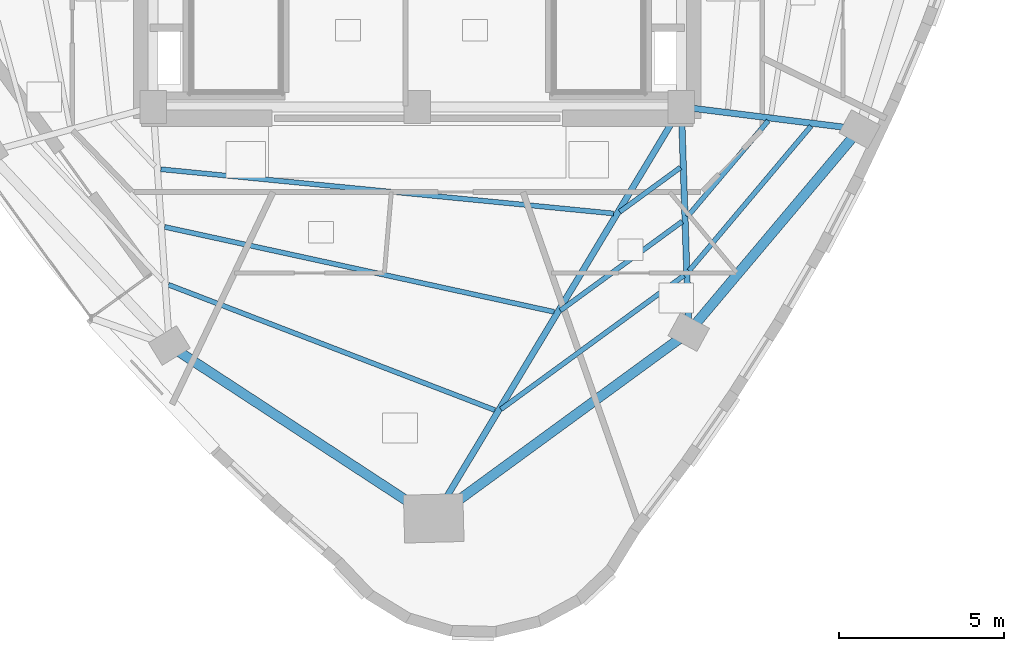
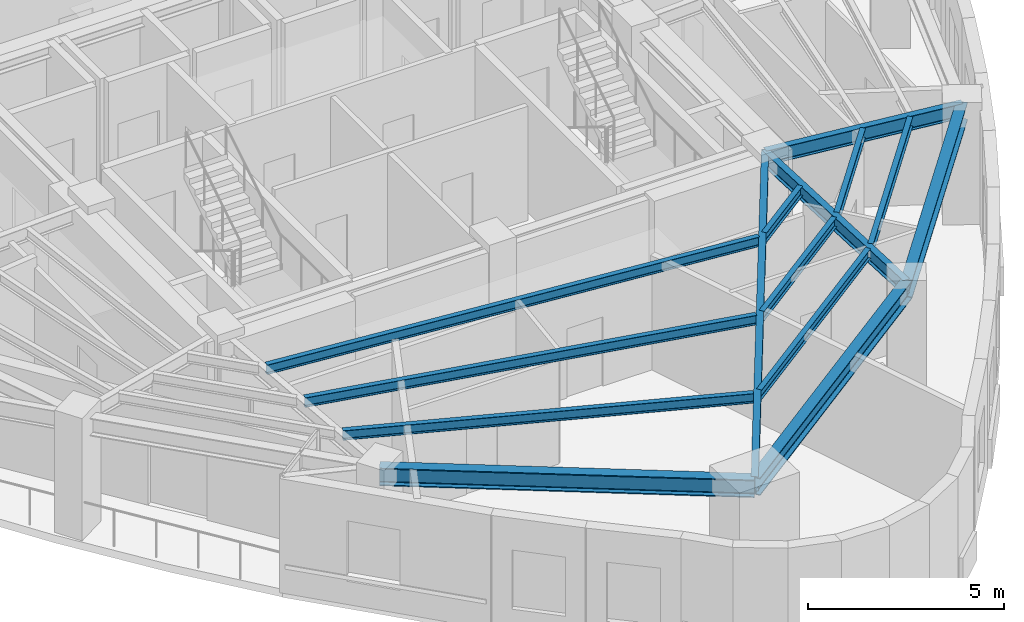
# One storey, part 3 of 12: 14 beams.
"""IFC4 building model written with IfcOpenShell, lengths in metres."""

import ifcopenshell
import ifcopenshell.guid

model = None  # the IFC model being written
_history = None  # IfcOwnerHistory: only IFC2X3 demands one
_inside = {}  # id of a spatial element -> (the spatial element, [elements in it])
_under = {}  # id of a project, library or spatial element -> (it, [spatial elements below it])
_declared = {}  # id of a project -> (the project, [libraries it declares])
_typed = {}  # id of a type object -> (the type object, [elements of that type])
_made_of = {}  # id of a material, layer set ... -> (it, [elements and type objects made of it])


def new_model(schema):
    """Start an empty IFC model of exactly this schema.

    Asked for "IFC4X3", IfcOpenShell would pick the latest addendum, in which some entities
    have other attributes; the version numbers below select the first issue.
    IFC2X3 requires an IfcOwnerHistory on every rooted entity: one is made here for all.
    """
    global model, _history
    if schema == "IFC4X3":
        model = ifcopenshell.file(schema_version=(4, 3, 0, 0))
    else:
        model = ifcopenshell.file(schema=schema)
    _inside.clear()
    _under.clear()
    _declared.clear()
    _typed.clear()
    _made_of.clear()
    _history = None
    if model.schema == "IFC2X3":
        org = make("IfcOrganization", Name="unknown")
        user = make(
            "IfcPersonAndOrganization",
            ThePerson=make("IfcPerson", FamilyName="unknown"),
            TheOrganization=org,
        )
        app = make(
            "IfcApplication",
            ApplicationDeveloper=org,
            Version="unknown",
            ApplicationFullName="unknown",
            ApplicationIdentifier="unknown",
        )
        _history = make(
            "IfcOwnerHistory",
            OwningUser=user,
            OwningApplication=app,
            ChangeAction="ADDED",
            CreationDate=0,
        )
    return model


def make(cls, **values):
    """One entity of the class cls with the attributes given. An attribute that is None is left unset."""
    return model.create_entity(
        cls, **{name: value for name, value in values.items() if value is not None}
    )


def rooted(cls, **values):
    """An entity with a GlobalId (a new one), such as an element, a storey or a relation."""
    return make(cls, GlobalId=ifcopenshell.guid.new(), OwnerHistory=_history, **values)


def si_unit(unit_type, name, prefix=None):
    """IfcSIUnit, for example si_unit("LENGTHUNIT", "METRE", prefix="MILLI")."""
    return make("IfcSIUnit", UnitType=unit_type, Prefix=prefix, Name=name)


def assignment(units):
    """IfcUnitAssignment: the units of a project."""
    return None if units is None else make("IfcUnitAssignment", Units=units)


def point(xyz):
    """IfcCartesianPoint."""
    return None if xyz is None else make("IfcCartesianPoint", Coordinates=xyz)


def direction(xyz):
    """IfcDirection."""
    return None if xyz is None else make("IfcDirection", DirectionRatios=xyz)


def frame(location, z_axis=None, x_axis=None):
    """IfcAxis2Placement3D, a coordinate frame: its origin and axes. An axis left out is left unset."""
    return make(
        "IfcAxis2Placement3D",
        Location=point(location),
        Axis=direction(z_axis),
        RefDirection=direction(x_axis),
    )


def frame_2d(location, x_axis=None):
    """IfcAxis2Placement2D, a coordinate frame in the plane: its origin and x axis."""
    return make(
        "IfcAxis2Placement2D", Location=point(location), RefDirection=direction(x_axis)
    )


def origin():
    """The frame at (0, 0, 0) with its axes left unset."""
    return frame((0.0, 0.0, 0.0))


def origin_2d():
    """The frame at (0, 0) in the plane with its x axis left unset."""
    return frame_2d((0.0, 0.0))


def place(relative_to, where):
    """IfcLocalPlacement: puts the frame where relative to a parent placement (None: the world)."""
    return make(
        "IfcLocalPlacement", PlacementRelTo=relative_to, RelativePlacement=where
    )


def context(
    kind, dimensions, precision=None, world=None, true_north=None, identifier=None
):
    """IfcGeometricRepresentationContext, for example the 3D "Model" context."""
    return make(
        "IfcGeometricRepresentationContext",
        ContextIdentifier=identifier,
        ContextType=kind,
        CoordinateSpaceDimension=dimensions,
        Precision=precision,
        WorldCoordinateSystem=world,
        TrueNorth=true_north,
    )


def subcontext(parent, identifier, kind, view, scale=None):
    """IfcGeometricRepresentationSubContext, for example "Body" below "Model"."""
    return make(
        "IfcGeometricRepresentationSubContext",
        ContextIdentifier=identifier,
        ContextType=kind,
        ParentContext=parent,
        TargetScale=scale,
        TargetView=view,
    )


def project(units=None, contexts=None):
    """IfcProject with its units and contexts."""
    return rooted(
        "IfcProject",
        Name="project",
        RepresentationContexts=contexts,
        UnitsInContext=assignment(units),
    )


def spatial(cls, under=None, at=None, **own):
    """A site, building, storey or space (cls), placed at a placement, below another one or the project."""
    s = rooted(cls, ObjectPlacement=at, **own)
    if under is not None:
        _under.setdefault(under.id(), (under, []))[1].append(s)
    return s


def profile(cls, at=None, kind="AREA", **sizes):
    """A parametric profile (cls). Its sizes go by their IFC names, for example OverallWidth=200.0."""
    return make(cls, ProfileType=kind, Position=at, **sizes)


def i_section(**sizes):
    """IfcIShapeProfileDef."""
    return profile("IfcIShapeProfileDef", **sizes)


def extrude(swept, where, along, depth):
    """IfcExtrudedAreaSolid: the profile swept, set in the frame where, extruded along a direction by depth."""
    return make(
        "IfcExtrudedAreaSolid",
        SweptArea=swept,
        Position=where,
        ExtrudedDirection=direction(along),
        Depth=depth,
    )


def shape(context_of_items, identifier, shape_type, items):
    """IfcShapeRepresentation: the items that make up one representation, for example the "Body"."""
    return make(
        "IfcShapeRepresentation",
        ContextOfItems=context_of_items,
        RepresentationIdentifier=identifier,
        RepresentationType=shape_type,
        Items=items,
    )


def material(Name=None, Category=None):
    """IfcMaterial."""
    return make("IfcMaterial", Name=Name, Category=Category)


def material_profile(
    of_material, cross_section, Name=None, Category=None, Priority=None
):
    """IfcMaterialProfile: a cross section and its material."""
    return make(
        "IfcMaterialProfile",
        Name=Name,
        Material=of_material,
        Profile=cross_section,
        Priority=Priority,
        Category=Category,
    )


def profile_set(profiles, Name=None, composite=None):
    """IfcMaterialProfileSet."""
    return make(
        "IfcMaterialProfileSet",
        Name=Name,
        MaterialProfiles=profiles,
        CompositeProfile=composite,
    )


def made_of(thing, what):
    """Note that an element or type object is made of a material, layer set ...; save() writes the relation."""
    if what is not None:
        _made_of.setdefault(what.id(), (what, []))[1].append(thing)
    return thing


def type_object(cls, material=None, **own):
    """A type object (cls), such as IfcWallType, which elements share."""
    return made_of(rooted(cls, **own), material)


def element(
    cls,
    number,
    at=None,
    inside=None,
    cuts=None,
    type_object=None,
    material=None,
    context=None,
    identifier="Body",
    shape_type=None,
    held_by="IfcProductDefinitionShape",
    body=None,
    shapes=None,
    **own,
):
    """One element of the class cls, such as IfcWall. Its Tag is "e" and its number.

    at: its placement. inside: the storey or other place that contains it. cuts: it is an
    opening in that element (IfcRelVoidsElement). A single representation is given by context,
    identifier, shape_type and body (its items); several are given by shapes. held_by: the class
    of the entity that holds the representations. save() writes the other relations.
    """
    e = rooted(cls, Tag="e%d" % number, ObjectPlacement=at, **own)
    if body is not None:
        shapes = [shape(context, identifier, shape_type, body)]
    if shapes is not None:
        e.Representation = make(held_by, Representations=shapes)
    if inside is not None:
        _inside.setdefault(inside.id(), (inside, []))[1].append(e)
    if cuts is not None:
        rooted(
            "IfcRelVoidsElement", RelatingBuildingElement=cuts, RelatedOpeningElement=e
        )
    if type_object is not None:
        _typed.setdefault(type_object.id(), (type_object, []))[1].append(e)
    return made_of(e, material)


def aggregate(whole, parts):
    """IfcRelAggregates: a whole, such as a stair, and the parts it consists of."""
    return rooted("IfcRelAggregates", RelatingObject=whole, RelatedObjects=parts)


def save(model, path):
    """Write the relations noted so far, then the file.

    IfcRelAggregates (storeys below a building ...), IfcRelContainedInSpatialStructure (elements
    in a storey), IfcRelDefinesByType, IfcRelAssociatesMaterial and IfcRelDeclares: one each for
    every whole, place, type object, material and project.
    """
    for whole, parts in _under.values():
        aggregate(whole, parts)
    for where, things in _inside.values():
        rooted(
            "IfcRelContainedInSpatialStructure",
            RelatedElements=things,
            RelatingStructure=where,
        )
    for kind, things in _typed.values():
        rooted("IfcRelDefinesByType", RelatedObjects=things, RelatingType=kind)
    for what, things in _made_of.values():
        rooted("IfcRelAssociatesMaterial", RelatedObjects=things, RelatingMaterial=what)
    for by, libraries in _declared.values():
        rooted("IfcRelDeclares", RelatingContext=by, RelatedDefinitions=libraries)
    model.write(path)


model = new_model("IFC4")

# Units and contexts
model_context = context("Model", 3, precision=1e-05, world=origin(), true_north=direction((0.0, 1.0)))
body_context = subcontext(model_context, "Body", "Model", "MODEL_VIEW")
ifc_project = project(units=[si_unit("LENGTHUNIT", "METRE"), si_unit("AREAUNIT", "SQUARE_METRE"), si_unit("VOLUMEUNIT", "CUBIC_METRE"), si_unit("PLANEANGLEUNIT", "RADIAN"), si_unit("MASSUNIT", "GRAM", prefix="KILO")], contexts=[model_context])

# Site, building, storey
site_placement = place(None, origin())
site = spatial("IfcSite", under=ifc_project, at=site_placement, CompositionType="ELEMENT")
building_placement = place(site_placement, origin())
building = spatial("IfcBuilding", under=site, at=building_placement, Name="Ndelora Gate Hotel", CompositionType="ELEMENT")
storey_placement = place(building_placement, frame((0.0, 0.0, 232.14990234375)))
storey = spatial("IfcBuildingStorey", under=building, at=storey_placement, Name="L58", CompositionType="ELEMENT", Elevation=232.14990234375)

# Beams
ifc_material = material(Name="Steel S355", Category="steel")
ifc_material_profile_1 = material_profile(ifc_material, i_section(OverallWidth=0.14990234375, OverallDepth=0.300048828125, WebThickness=0.007080078125, FlangeThickness=0.0107421875, FilletRadius=0.014892578125, at=origin_2d()), Name="IPE 300")
ifc_profile_set_1 = profile_set([ifc_material_profile_1], Name="Steel S355")
beam_type_1 = type_object("IfcBeamType", Name="BM-JST-300", PredefinedType="JOIST", material=ifc_profile_set_1)
beam_1_placement = place(storey_placement, frame((-7.767578125, -8.489501953125, 3.400146484375), z_axis=(0.995253727902, -0.097314012848, 0.0), x_axis=(0.097314012848, 0.995253727902, 0.0)))
element("IfcBeam", 1, at=beam_1_placement, inside=storey, type_object=beam_type_1, Name="L58 Secondary Composite Floor Joist IN-4", PredefinedType="JOIST", context=body_context, shape_type="SweptSolid", body=[
    extrude(i_section(OverallWidth=0.14990234375, OverallDepth=0.300048828125, WebThickness=0.007080078125, FlangeThickness=0.0107421875, FilletRadius=0.014892578125, at=origin_2d()), origin(), (0.0, 0.0, 1.0), 13.7783203125),
])
beam_2_placement = place(storey_placement, frame((-7.651611328125, -10.236572265625, 3.400146484375), z_axis=(0.977032906758, -0.213088477191, 0.0), x_axis=(0.213088477191, 0.977032906758, 0.0)))
element("IfcBeam", 2, at=beam_2_placement, inside=storey, type_object=beam_type_1, Name="L58 Secondary Composite Floor Joist MID-4", PredefinedType="JOIST", context=body_context, shape_type="SweptSolid", body=[
    extrude(i_section(OverallWidth=0.14990234375, OverallDepth=0.300048828125, WebThickness=0.007080078125, FlangeThickness=0.0107421875, FilletRadius=0.014892578125, at=origin_2d()), origin(), (0.0, 0.0, 1.0), 12.075927734375),
])
beam_3_placement = place(storey_placement, frame((-7.5380859375, -11.98681640625, 3.400146484375), z_axis=(0.933489266504, -0.358605339227, 0.0), x_axis=(0.358605339227, 0.933489266504, 0.0)))
element("IfcBeam", 3, at=beam_3_placement, inside=storey, type_object=beam_type_1, Name="L58 Secondary Composite Floor Joist OUT-4", PredefinedType="JOIST", context=body_context, shape_type="SweptSolid", body=[
    extrude(i_section(OverallWidth=0.14990234375, OverallDepth=0.300048828125, WebThickness=0.007080078125, FlangeThickness=0.0107421875, FilletRadius=0.014892578125, at=origin_2d()), origin(), (0.0, 0.0, 1.0), 10.593994140625),
])
beam_4_placement = place(storey_placement, frame((6.134521484375, -9.77880859375, 3.400146484375), z_axis=(0.80739897839, 0.590005838696, 0.0), x_axis=(-0.590005838696, 0.80739897839, 0.0)))
element("IfcBeam", 4, at=beam_4_placement, inside=storey, type_object=beam_type_1, Name="L58 Secondary Composite Floor Joist IN-5", PredefinedType="JOIST", context=body_context, shape_type="SweptSolid", body=[
    extrude(i_section(OverallWidth=0.14990234375, OverallDepth=0.300048828125, WebThickness=0.007080078125, FlangeThickness=0.0107421875, FilletRadius=0.014892578125, at=origin_2d()), origin(), (0.0, 0.0, 1.0), 2.277587890625),
])
beam_5_placement = place(storey_placement, frame((4.33447265625, -12.77001953125, 3.400146484375), z_axis=(0.807439047151, 0.589951002318, 0.0), x_axis=(-0.589951002318, 0.807439047151, 0.0)))
element("IfcBeam", 5, at=beam_5_placement, inside=storey, type_object=beam_type_1, Name="L58 Secondary Composite Floor Joist MID-5", PredefinedType="JOIST", context=body_context, shape_type="SweptSolid", body=[
    extrude(i_section(OverallWidth=0.14990234375, OverallDepth=0.300048828125, WebThickness=0.007080078125, FlangeThickness=0.0107421875, FilletRadius=0.014892578125, at=origin_2d()), origin(), (0.0, 0.0, 1.0), 4.5732421875),
])
beam_6_placement = place(storey_placement, frame((2.5341796875, -15.761474609375, 3.400146484375), z_axis=(0.807430841486, 0.589962232874, 0.0), x_axis=(-0.589962232874, 0.807430841486, 0.0)))
element("IfcBeam", 6, at=beam_6_placement, inside=storey, type_object=beam_type_1, Name="L58 Secondary Composite Floor Joist OUT-5", PredefinedType="JOIST", context=body_context, shape_type="SweptSolid", body=[
    extrude(i_section(OverallWidth=0.14990234375, OverallDepth=0.300048828125, WebThickness=0.007080078125, FlangeThickness=0.0107421875, FilletRadius=0.014892578125, at=origin_2d()), origin(), (0.0, 0.0, 1.0), 6.869384765625),
])
beam_7_placement = place(storey_placement, frame((8.1796875, -9.9296875, 3.400146484375), z_axis=(0.644319387893, 0.764756514444, 0.0), x_axis=(-0.764756514444, 0.644319387893, 0.0)))
element("IfcBeam", 7, at=beam_7_placement, inside=storey, type_object=beam_type_1, Name="L58 Secondary Composite Floor Joist MID-6", PredefinedType="JOIST", context=body_context, shape_type="SweptSolid", body=[
    extrude(i_section(OverallWidth=0.14990234375, OverallDepth=0.300048828125, WebThickness=0.007080078125, FlangeThickness=0.0107421875, FilletRadius=0.014892578125, at=origin_2d()), origin(), (0.0, 0.0, 1.0), 3.806884765625),
])
beam_8_placement = place(storey_placement, frame((8.2333984375, -11.56640625, 3.400146484375), z_axis=(0.644324492463, 0.764752213735, 0.0), x_axis=(-0.764752213735, 0.644324492463, 0.0)))
element("IfcBeam", 8, at=beam_8_placement, inside=storey, type_object=beam_type_1, Name="L58 Secondary Composite Floor Joist OUT-6", PredefinedType="JOIST", context=body_context, shape_type="SweptSolid", body=[
    extrude(i_section(OverallWidth=0.14990234375, OverallDepth=0.300048828125, WebThickness=0.007080078125, FlangeThickness=0.0107421875, FilletRadius=0.014892578125, at=origin_2d()), origin(), (0.0, 0.0, 1.0), 5.735107421875),
])
ifc_material_profile_2 = material_profile(ifc_material, i_section(OverallWidth=0.18994140625, OverallDepth=0.449951171875, WebThickness=0.009521484375, FlangeThickness=0.0146484375, FilletRadius=0.02099609375, at=origin_2d()), Name="IPE 450")
ifc_profile_set_2 = profile_set([ifc_material_profile_2], Name="Steel S355")
beam_type_2 = type_object("IfcBeamType", Name="BM-RAD-450", PredefinedType="BEAM", material=ifc_profile_set_2)
beam_9_placement = place(storey_placement, frame((8.0, -6.60009765625, 3.3251953125), z_axis=(-0.515620753203, -0.856816922607, 0.0), x_axis=(0.856816922607, -0.515620753203, 0.0)))
element("IfcBeam", 9, at=beam_9_placement, inside=storey, type_object=beam_type_2, Name="L58 Radial Floor Girder 5", PredefinedType="BEAM", context=body_context, shape_type="SweptSolid", body=[
    extrude(i_section(OverallWidth=0.18994140625, OverallDepth=0.449951171875, WebThickness=0.009521484375, FlangeThickness=0.0146484375, FilletRadius=0.02099609375, at=origin_2d()), origin(), (0.0, 0.0, 1.0), 14.546875),
])
beam_10_placement = place(storey_placement, frame((8.0, -6.60009765625, 3.3251953125), z_axis=(0.032809705109, -0.999461616697, 0.0), x_axis=(0.999461616697, 0.032809705109, 0.0)))
element("IfcBeam", 10, at=beam_10_placement, inside=storey, type_object=beam_type_2, Name="L58 Radial Floor Girder 6", PredefinedType="BEAM", context=body_context, shape_type="SweptSolid", body=[
    extrude(i_section(OverallWidth=0.18994140625, OverallDepth=0.449951171875, WebThickness=0.009521484375, FlangeThickness=0.0146484375, FilletRadius=0.02099609375, at=origin_2d()), origin(), (0.0, 0.0, 1.0), 6.823486328125),
])
beam_11_placement = place(storey_placement, frame((8.0, -6.60009765625, 3.3251953125), z_axis=(0.992266830725, -0.124123070552, 0.0), x_axis=(0.124123070552, 0.992266830725, 0.0)))
element("IfcBeam", 11, at=beam_11_placement, inside=storey, type_object=beam_type_2, Name="L58 Radial Floor Girder 7", PredefinedType="BEAM", context=body_context, shape_type="SweptSolid", body=[
    extrude(i_section(OverallWidth=0.18994140625, OverallDepth=0.449951171875, WebThickness=0.009521484375, FlangeThickness=0.0146484375, FilletRadius=0.02099609375, at=origin_2d()), origin(), (0.0, 0.0, 1.0), 5.4423828125),
])
ifc_material_profile_3 = material_profile(ifc_material, i_section(OverallWidth=0.300048828125, OverallDepth=0.550048828125, WebThickness=0.014892578125, FlangeThickness=0.029052734375, FilletRadius=0.027099609375, at=origin_2d()), Name="HEB 550")
ifc_profile_set_3 = profile_set([ifc_material_profile_3], Name="Steel S355")
beam_type_3 = type_object("IfcBeamType", Name="BM-RING-550", PredefinedType="SPANDREL", material=ifc_profile_set_3)
beam_12_placement = place(storey_placement, frame((-7.50830078125, -13.828369140625, 3.275146484375), z_axis=(0.836963769915, -0.547258300851, 0.0), x_axis=(0.547258300851, 0.836963769915, 0.0)))
element("IfcBeam", 12, at=beam_12_placement, inside=storey, type_object=beam_type_3, Name="L58 Perimeter Spandrel Girder 4", PredefinedType="SPANDREL", context=body_context, shape_type="SweptSolid", body=[
    extrude(i_section(OverallWidth=0.300048828125, OverallDepth=0.550048828125, WebThickness=0.014892578125, FlangeThickness=0.029052734375, FilletRadius=0.027099609375, at=origin_2d()), origin(), (0.0, 0.0, 1.0), 9.5673828125),
])
beam_13_placement = place(storey_placement, frame((0.499267578125, -19.064208984375, 3.275146484375), z_axis=(0.807421980226, 0.58997436033, 0.0), x_axis=(-0.58997436033, 0.807421980226, 0.0)))
element("IfcBeam", 13, at=beam_13_placement, inside=storey, type_object=beam_type_3, Name="L58 Perimeter Spandrel Girder 5", PredefinedType="SPANDREL", context=body_context, shape_type="SweptSolid", body=[
    extrude(i_section(OverallWidth=0.300048828125, OverallDepth=0.550048828125, WebThickness=0.014892578125, FlangeThickness=0.029052734375, FilletRadius=0.027099609375, at=origin_2d()), origin(), (0.0, 0.0, 1.0), 9.56689453125),
])
beam_14_placement = place(storey_placement, frame((8.223876953125, -13.419921875, 3.275146484375), z_axis=(0.644308845181, 0.764765396721, 0.0), x_axis=(-0.764765396721, 0.644308845181, 0.0)))
element("IfcBeam", 14, at=beam_14_placement, inside=storey, type_object=beam_type_3, Name="L58 Perimeter Spandrel Girder 6", PredefinedType="SPANDREL", context=body_context, shape_type="SweptSolid", body=[
    extrude(i_section(OverallWidth=0.300048828125, OverallDepth=0.550048828125, WebThickness=0.014892578125, FlangeThickness=0.029052734375, FilletRadius=0.027099609375, at=origin_2d()), origin(), (0.0, 0.0, 1.0), 8.0341796875),
])

save(model, "model.ifc")
